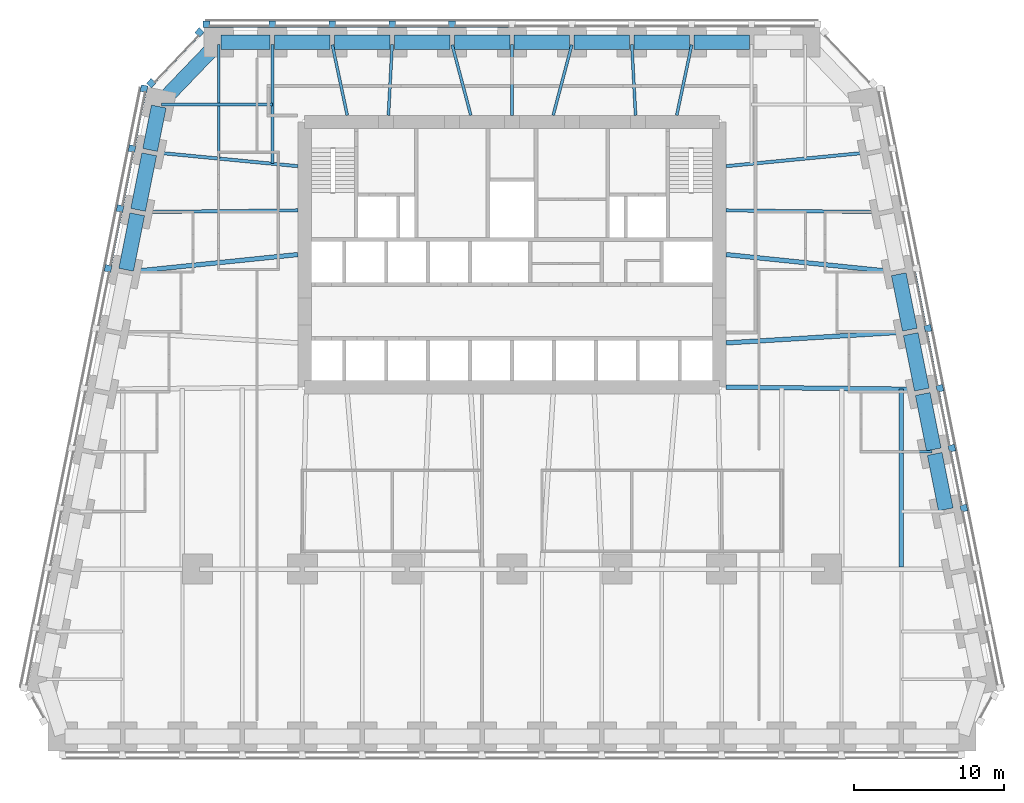
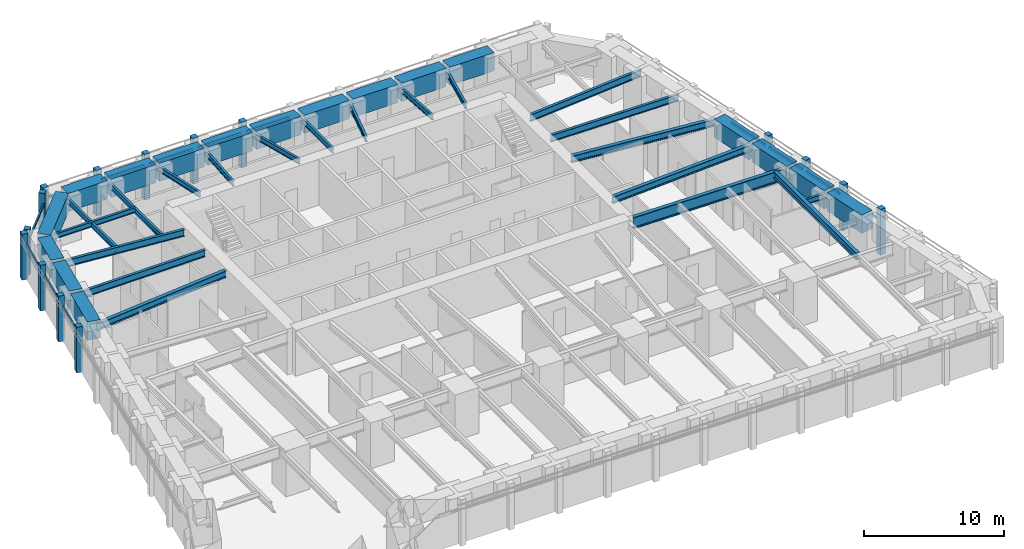
# One storey, part 3 of 10: 37 beams, 28 members, 4 elements without a shape of their own.
"""IFC4 building model written with IfcOpenShell, lengths in metres."""

from ifc_helpers import new_model, si_unit, direction, frame, origin, origin_2d, place, context, subcontext, project, spatial, rectangle, i_section, extrude, material, material_profile, profile_set, type_object, element, aggregate, save


model = new_model("IFC4")

# Units and contexts
model_context = context("Model", 3, precision=1e-05, world=origin(), true_north=direction((0.0, 1.0)))
body_context = subcontext(model_context, "Body", "Model", "MODEL_VIEW")
ifc_project = project(units=[si_unit("LENGTHUNIT", "METRE"), si_unit("AREAUNIT", "SQUARE_METRE"), si_unit("VOLUMEUNIT", "CUBIC_METRE"), si_unit("PLANEANGLEUNIT", "RADIAN"), si_unit("MASSUNIT", "GRAM", prefix="KILO")], contexts=[model_context])

# Site, building, storey
site_placement = place(None, origin())
site = spatial("IfcSite", under=ifc_project, at=site_placement, CompositionType="ELEMENT")
building_placement = place(site_placement, origin())
building = spatial("IfcBuilding", under=site, at=building_placement, Name="Isbrekke Arena Tower", CompositionType="ELEMENT")
storey_placement = place(building_placement, frame((0.0, 0.0, 64.0)))
storey = spatial("IfcBuildingStorey", under=building, at=storey_placement, Name="L13", CompositionType="ELEMENT", Elevation=64.0)

# Beams
ifc_material_1 = material(Name="Steel S355", Category="steel")
ifc_material_profile_1 = material_profile(ifc_material_1, i_section(OverallWidth=0.219970703125, OverallDepth=0.60009765625, WebThickness=0.011962890625, FlangeThickness=0.01904296875, FilletRadius=0.02392578125, at=origin_2d()), Name="IPE 600")
ifc_profile_set_1 = profile_set([ifc_material_profile_1], Name="Steel S355")
beam_type_1 = type_object("IfcBeamType", Name="B1 IPE 600", PredefinedType="BEAM", material=ifc_profile_set_1)
beam_1_placement = place(storey_placement, frame((24.83984375, 17.838134765625, 3.550048828125), z_axis=(-0.999943729589, 0.010608376645, 0.0), x_axis=(-0.010608376645, -0.999943729589, 0.0)))
element("IfcBeam", 1, at=beam_1_placement, inside=storey, type_object=beam_type_1, Name="B1 beam E-E09 L13", PredefinedType="BEAM", context=body_context, shape_type="SweptSolid", body=[
    extrude(i_section(OverallWidth=0.219970703125, OverallDepth=0.60009765625, WebThickness=0.011962890625, FlangeThickness=0.01904296875, FilletRadius=0.02392578125, at=origin_2d()), origin(), (0.0, 0.0, 1.0), 10.540283203125),
])
for number, where, z_axis, x_axis, name in (
    (2, (24.030517578125, 21.837158203125, 3.550048828125), (-0.995393091527, -0.095878012805, 0.0), (0.095878012805, -0.995393091527, 0.0), "B1 beam E-E10 L13"),
    (3, (-24.030517578125, 21.837158203125, 3.550048828125), (0.995393091527, -0.095878012805, 0.0), (0.095878012805, 0.995393091527, 0.0), "B1 beam E-W02 L13"),
):
    element("IfcBeam", number, at=place(storey_placement, frame(where, z_axis=z_axis, x_axis=x_axis)), inside=storey, type_object=beam_type_1, Name=name, PredefinedType="BEAM", context=body_context, shape_type="SweptSolid", body=[
        extrude(i_section(OverallWidth=0.219970703125, OverallDepth=0.60009765625, WebThickness=0.011962890625, FlangeThickness=0.01904296875, FilletRadius=0.02392578125, at=origin_2d()), origin(), (0.0, 0.0, 1.0), 9.775390625),
    ])
beam_2_placement = place(storey_placement, frame((-24.83984375, 17.838134765625, 3.550048828125), z_axis=(0.999943729589, 0.010608376645, 0.0), x_axis=(-0.010608376645, 0.999943729589, 0.0)))
element("IfcBeam", 4, at=beam_2_placement, inside=storey, type_object=beam_type_1, Name="B1 beam E-W03 L13", PredefinedType="BEAM", context=body_context, shape_type="SweptSolid", body=[
    extrude(i_section(OverallWidth=0.219970703125, OverallDepth=0.60009765625, WebThickness=0.011962890625, FlangeThickness=0.01904296875, FilletRadius=0.02392578125, at=origin_2d()), origin(), (0.0, 0.0, 1.0), 10.540283203125),
])
ifc_material_2 = material(Name="Steel S355", Category="steel")
ifc_material_profile_2 = material_profile(ifc_material_2, i_section(OverallWidth=0.18994140625, OverallDepth=0.449951171875, WebThickness=0.009521484375, FlangeThickness=0.0146484375, FilletRadius=0.02099609375, at=origin_2d()), Name="IPE 450")
ifc_profile_set_2 = profile_set([ifc_material_profile_2], Name="Steel S355")
beam_type_2 = type_object("IfcBeamType", Name="B2 IPE 450", PredefinedType="BEAM", material=ifc_profile_set_2)
beam_3_placement = place(storey_placement, frame((28.041015625, 1.838134765625, 3.625), z_axis=(-1.0, 0.0, 0.0), x_axis=(0.0, -1.0, 0.0)))
element("IfcBeam", 5, at=beam_3_placement, inside=storey, type_object=beam_type_2, Name="B2 beam E-E05 L13", PredefinedType="BEAM", context=body_context, shape_type="SweptSolid", body=[
    extrude(i_section(OverallWidth=0.18994140625, OverallDepth=0.449951171875, WebThickness=0.009521484375, FlangeThickness=0.0146484375, FilletRadius=0.02099609375, at=origin_2d()), origin(), (0.0, 0.0, 1.0), 2.041015625),
])
beam_4_placement = place(storey_placement, frame((-23.40283203125, 25.029296875, 3.625), z_axis=(1.0, 0.0, 0.0), x_axis=(0.0, 1.0, 0.0)))
element("IfcBeam", 6, at=beam_4_placement, inside=storey, type_object=beam_type_2, Name="B2 beam E-W01 L13", PredefinedType="BEAM", context=body_context, shape_type="SweptSolid", body=[
    extrude(i_section(OverallWidth=0.18994140625, OverallDepth=0.449951171875, WebThickness=0.009521484375, FlangeThickness=0.0146484375, FilletRadius=0.02099609375, at=origin_2d()), origin(), (0.0, 0.0, 1.0), 7.40283203125),
])
ifc_material_3 = material(Name="Steel S355", Category="steel")
ifc_material_profile_3 = material_profile(ifc_material_3, i_section(OverallWidth=0.18994140625, OverallDepth=0.449951171875, WebThickness=0.009521484375, FlangeThickness=0.0146484375, FilletRadius=0.02099609375, at=origin_2d()), Name="IPE 450")
ifc_profile_set_3 = profile_set([ifc_material_profile_3], Name="Steel S355")
beam_type_3 = type_object("IfcBeamType", Name="B3 IPE 450", PredefinedType="BEAM", material=ifc_profile_set_3)
beam_5_placement = place(storey_placement, frame((-16.0, 29.02490234375, 3.625), z_axis=(0.0, -1.0, 0.0), x_axis=(1.0, 0.0, 0.0)))
element("IfcBeam", 7, at=beam_5_placement, inside=storey, type_object=beam_type_3, Name="B3 beam N-N10 L13", PredefinedType="BEAM", context=body_context, shape_type="SweptSolid", body=[
    extrude(i_section(OverallWidth=0.18994140625, OverallDepth=0.449951171875, WebThickness=0.009521484375, FlangeThickness=0.0146484375, FilletRadius=0.02099609375, at=origin_2d()), origin(), (0.0, 0.0, 1.0), 7.961181640625),
])
beam_6_placement = place(storey_placement, frame((-19.574951171875, 29.02490234375, 3.625), z_axis=(0.0, -1.0, 0.0), x_axis=(1.0, 0.0, 0.0)))
element("IfcBeam", 8, at=beam_6_placement, inside=storey, type_object=beam_type_3, Name="B3 beam N-N11 L13", PredefinedType="BEAM", context=body_context, shape_type="SweptSolid", body=[
    extrude(i_section(OverallWidth=0.18994140625, OverallDepth=0.449951171875, WebThickness=0.009521484375, FlangeThickness=0.0146484375, FilletRadius=0.02099609375, at=origin_2d()), origin(), (0.0, 0.0, 1.0), 7.616943359375),
])
beam_7_placement = place(storey_placement, frame((11.995849609375, 29.005859375, 3.625), z_axis=(-0.207036135686, -0.978333296234, 0.0), x_axis=(0.978333296234, -0.207036135686, 0.0)))
element("IfcBeam", 9, at=beam_7_placement, inside=storey, type_object=beam_type_3, Name="B3 beam N-N03 L13", PredefinedType="BEAM", context=body_context, shape_type="SweptSolid", body=[
    extrude(i_section(OverallWidth=0.18994140625, OverallDepth=0.449951171875, WebThickness=0.009521484375, FlangeThickness=0.0146484375, FilletRadius=0.02099609375, at=origin_2d()), origin(), (0.0, 0.0, 1.0), 4.81005859375),
])
beam_8_placement = place(storey_placement, frame((8.000244140625, 29.02001953125, 3.625), z_axis=(0.05284078094, -0.998602950061, 0.0), x_axis=(0.998602950061, 0.05284078094, 0.0)))
element("IfcBeam", 10, at=beam_8_placement, inside=storey, type_object=beam_type_3, Name="B3 beam N-N04 L13", PredefinedType="BEAM", context=body_context, shape_type="SweptSolid", body=[
    extrude(i_section(OverallWidth=0.18994140625, OverallDepth=0.449951171875, WebThickness=0.009521484375, FlangeThickness=0.0146484375, FilletRadius=0.02099609375, at=origin_2d()), origin(), (0.0, 0.0, 1.0), 4.7265625),
])
beam_9_placement = place(storey_placement, frame((3.993896484375, 29.00146484375, 3.625), z_axis=(-0.255778031922, -0.966735536942, 0.0), x_axis=(0.966735536942, -0.255778031922, 0.0)))
element("IfcBeam", 11, at=beam_9_placement, inside=storey, type_object=beam_type_3, Name="B3 beam N-N05 L13", PredefinedType="BEAM", context=body_context, shape_type="SweptSolid", body=[
    extrude(i_section(OverallWidth=0.18994140625, OverallDepth=0.449951171875, WebThickness=0.009521484375, FlangeThickness=0.0146484375, FilletRadius=0.02099609375, at=origin_2d()), origin(), (0.0, 0.0, 1.0), 4.86328125),
])
beam_10_placement = place(storey_placement, frame((0.0, 29.02490234375, 3.625), z_axis=(0.0, -1.0, 0.0), x_axis=(1.0, 0.0, 0.0)))
element("IfcBeam", 12, at=beam_10_placement, inside=storey, type_object=beam_type_3, Name="B3 beam N-N06 L13", PredefinedType="BEAM", context=body_context, shape_type="SweptSolid", body=[
    extrude(i_section(OverallWidth=0.18994140625, OverallDepth=0.449951171875, WebThickness=0.009521484375, FlangeThickness=0.0146484375, FilletRadius=0.02099609375, at=origin_2d()), origin(), (0.0, 0.0, 1.0), 4.724853515625),
])
beam_11_placement = place(storey_placement, frame((-3.993896484375, 29.00146484375, 3.625), z_axis=(0.255778031922, -0.966735536942, 0.0), x_axis=(0.966735536942, 0.255778031922, 0.0)))
element("IfcBeam", 13, at=beam_11_placement, inside=storey, type_object=beam_type_3, Name="B3 beam N-N07 L13", PredefinedType="BEAM", context=body_context, shape_type="SweptSolid", body=[
    extrude(i_section(OverallWidth=0.18994140625, OverallDepth=0.449951171875, WebThickness=0.009521484375, FlangeThickness=0.0146484375, FilletRadius=0.02099609375, at=origin_2d()), origin(), (0.0, 0.0, 1.0), 4.86328125),
])
beam_12_placement = place(storey_placement, frame((-8.000244140625, 29.02001953125, 3.625), z_axis=(-0.05284078094, -0.998602950061, 0.0), x_axis=(0.998602950061, -0.05284078094, 0.0)))
element("IfcBeam", 14, at=beam_12_placement, inside=storey, type_object=beam_type_3, Name="B3 beam N-N08 L13", PredefinedType="BEAM", context=body_context, shape_type="SweptSolid", body=[
    extrude(i_section(OverallWidth=0.18994140625, OverallDepth=0.449951171875, WebThickness=0.009521484375, FlangeThickness=0.0146484375, FilletRadius=0.02099609375, at=origin_2d()), origin(), (0.0, 0.0, 1.0), 4.7265625),
])
beam_13_placement = place(storey_placement, frame((-11.995849609375, 29.005859375, 3.625), z_axis=(0.207036135686, -0.978333296234, 0.0), x_axis=(0.978333296234, 0.207036135686, 0.0)))
element("IfcBeam", 15, at=beam_13_placement, inside=storey, type_object=beam_type_3, Name="B3 beam N-N09 L13", PredefinedType="BEAM", context=body_context, shape_type="SweptSolid", body=[
    extrude(i_section(OverallWidth=0.18994140625, OverallDepth=0.449951171875, WebThickness=0.009521484375, FlangeThickness=0.0146484375, FilletRadius=0.02099609375, at=origin_2d()), origin(), (0.0, 0.0, 1.0), 4.81005859375),
])
ifc_material_4 = material(Name="Steel S355", Category="steel")
ifc_material_profile_4 = material_profile(ifc_material_4, i_section(OverallWidth=0.300048828125, OverallDepth=0.60009765625, WebThickness=0.015380859375, FlangeThickness=0.030029296875, FilletRadius=0.027099609375, at=origin_2d()), Name="HEB 600")
ifc_profile_set_4 = profile_set([ifc_material_profile_4], Name="Steel S355")
beam_type_4 = type_object("IfcBeamType", Name="B7 HEB 600", PredefinedType="BEAM", material=ifc_profile_set_4)
beam_14_placement = place(storey_placement, frame((26.0, -5.84912109375, 3.550048828125), z_axis=(0.0, 1.0, 0.0), x_axis=(-1.0, 0.0, 0.0)))
element("IfcBeam", 16, at=beam_14_placement, inside=storey, type_object=beam_type_4, Name="B7 beam C-M14 L13", PredefinedType="BEAM", context=body_context, shape_type="SweptSolid", body=[
    extrude(i_section(OverallWidth=0.300048828125, OverallDepth=0.60009765625, WebThickness=0.015380859375, FlangeThickness=0.030029296875, FilletRadius=0.027099609375, at=origin_2d()), origin(), (0.0, 0.0, 1.0), 11.864990234375),
])
beam_15_placement = place(storey_placement, frame((26.431884765625, 9.837646484375, 3.550048828125), z_axis=(-0.998157121592, -0.060682457223, 0.0), x_axis=(0.060682457223, -0.998157121592, 0.0)))
element("IfcBeam", 17, at=beam_15_placement, inside=storey, type_object=beam_type_4, Name="B7 beam E-E07 L13", PredefinedType="BEAM", context=body_context, shape_type="SweptSolid", body=[
    extrude(i_section(OverallWidth=0.300048828125, OverallDepth=0.60009765625, WebThickness=0.015380859375, FlangeThickness=0.030029296875, FilletRadius=0.027099609375, at=origin_2d()), origin(), (0.0, 0.0, 1.0), 12.154296875),
])
for number, where, z_axis, x_axis, name in (
    (18, (25.625732421875, 13.83984375, 3.550048828125), (-0.994794378016, 0.101902627384, 0.0), (-0.101902627384, -0.994794378016, 0.0), "B7 beam E-E08 L13"),
    (19, (-25.625732421875, 13.83984375, 3.550048828125), (0.994794378016, 0.101902627384, 0.0), (-0.101902627384, 0.994794378016, 0.0), "B7 beam E-W04 L13"),
):
    element("IfcBeam", number, at=place(storey_placement, frame(where, z_axis=z_axis, x_axis=x_axis)), inside=storey, type_object=beam_type_4, Name=name, PredefinedType="BEAM", context=body_context, shape_type="SweptSolid", body=[
        extrude(i_section(OverallWidth=0.300048828125, OverallDepth=0.60009765625, WebThickness=0.015380859375, FlangeThickness=0.030029296875, FilletRadius=0.027099609375, at=origin_2d()), origin(), (0.0, 0.0, 1.0), 11.385009765625),
    ])

# Curtain wall, members
ifc_material_5 = material(Name="Glazed aluminium curtain wall", Category="aluminium")
curtain_wall_type = type_object("IfcCurtainWallType", Name="CWL TOWER CURTAIN WALL LOW ZONE", PredefinedType="USERDEFINED", material=ifc_material_5)
curtain_wall_1_placement = place(storey_placement, origin())
curtain_wall_1 = element("IfcCurtainWall", 20, at=curtain_wall_1_placement, inside=storey, type_object=curtain_wall_type, Name="CWL curtain wall L13-E", ObjectType="TOWER CURTAIN WALL LOW ZONE", PredefinedType="USERDEFINED")
ifc_material_6 = material(Name="Aluminium mullion, pale brick slip cladding", Category="masonry")
ifc_material_profile_5 = material_profile(ifc_material_6, rectangle(XDim=0.449951171875, YDim=0.449951171875, at=origin_2d()), Name="PIER 450X450")
ifc_profile_set_5 = profile_set([ifc_material_profile_5], Name="Aluminium mullion, pale brick slip cladding")
member_type_1 = type_object("IfcMemberType", Name="CWL-M PIER MULLION 450 x 450", PredefinedType="MULLION", material=ifc_profile_set_5)
member_1_placement = place(storey_placement, frame((30.167724609375, -1.926513671875, 0.0), z_axis=(0.0, 0.0, 1.0), x_axis=(-0.196116135138, 0.980580675691, 0.0)))
member_1 = element("IfcMember", 21, at=member_1_placement, type_object=member_type_1, Name="CWL-M mullion 4", PredefinedType="MULLION", context=body_context, shape_type="SweptSolid", body=[
    extrude(rectangle(XDim=0.449951171875, YDim=0.449951171875, at=origin_2d()), origin(), (0.0, 0.0, 1.0), 4.0),
])
member_2_placement = place(storey_placement, frame((29.36767578125, 2.073486328125, 0.0), z_axis=(0.0, 0.0, 1.0), x_axis=(-0.196116135138, 0.980580675691, 0.0)))
member_2 = element("IfcMember", 22, at=member_2_placement, type_object=member_type_1, Name="CWL-M mullion 5", PredefinedType="MULLION", context=body_context, shape_type="SweptSolid", body=[
    extrude(rectangle(XDim=0.449951171875, YDim=0.449951171875, at=origin_2d()), origin(), (0.0, 0.0, 1.0), 4.0),
])
member_3_placement = place(storey_placement, frame((28.567626953125, 6.073486328125, 0.0), z_axis=(0.0, 0.0, 1.0), x_axis=(-0.196116135138, 0.980580675691, 0.0)))
member_3 = element("IfcMember", 23, at=member_3_placement, type_object=member_type_1, Name="CWL-M mullion 6", PredefinedType="MULLION", context=body_context, shape_type="SweptSolid", body=[
    extrude(rectangle(XDim=0.449951171875, YDim=0.449951171875, at=origin_2d()), origin(), (0.0, 0.0, 1.0), 4.0),
])
member_4_placement = place(storey_placement, frame((27.767822265625, 10.073486328125, 0.0), z_axis=(0.0, 0.0, 1.0), x_axis=(-0.196116135138, 0.980580675691, 0.0)))
member_4 = element("IfcMember", 24, at=member_4_placement, type_object=member_type_1, Name="CWL-M mullion 7", PredefinedType="MULLION", context=body_context, shape_type="SweptSolid", body=[
    extrude(rectangle(XDim=0.449951171875, YDim=0.449951171875, at=origin_2d()), origin(), (0.0, 0.0, 1.0), 4.0),
])

curtain_wall_2_placement = place(storey_placement, origin())
curtain_wall_2 = element("IfcCurtainWall", 25, at=curtain_wall_2_placement, inside=storey, type_object=curtain_wall_type, Name="CWL curtain wall L13-N", ObjectType="TOWER CURTAIN WALL LOW ZONE", PredefinedType="USERDEFINED")
member_5_placement = place(storey_placement, frame((-4.0, 30.375, 0.0), z_axis=(0.0, 0.0, 1.0), x_axis=(-1.0, 0.0, 0.0)))
member_5 = element("IfcMember", 26, at=member_5_placement, type_object=member_type_1, Name="CWL-M mullion 7", PredefinedType="MULLION", context=body_context, shape_type="SweptSolid", body=[
    extrude(rectangle(XDim=0.449951171875, YDim=0.449951171875, at=origin_2d()), origin(), (0.0, 0.0, 1.0), 4.0),
])
member_6_placement = place(storey_placement, frame((-8.0, 30.375, 0.0), z_axis=(0.0, 0.0, 1.0), x_axis=(-1.0, 0.0, 0.0)))
member_6 = element("IfcMember", 27, at=member_6_placement, type_object=member_type_1, Name="CWL-M mullion 8", PredefinedType="MULLION", context=body_context, shape_type="SweptSolid", body=[
    extrude(rectangle(XDim=0.449951171875, YDim=0.449951171875, at=origin_2d()), origin(), (0.0, 0.0, 1.0), 4.0),
])
member_7_placement = place(storey_placement, frame((-12.0, 30.375, 0.0), z_axis=(0.0, 0.0, 1.0), x_axis=(-1.0, 0.0, 0.0)))
member_7 = element("IfcMember", 28, at=member_7_placement, type_object=member_type_1, Name="CWL-M mullion 9", PredefinedType="MULLION", context=body_context, shape_type="SweptSolid", body=[
    extrude(rectangle(XDim=0.449951171875, YDim=0.449951171875, at=origin_2d()), origin(), (0.0, 0.0, 1.0), 4.0),
])
member_8_placement = place(storey_placement, frame((-16.0, 30.375, 0.0), z_axis=(0.0, 0.0, 1.0), x_axis=(-1.0, 0.0, 0.0)))
member_8 = element("IfcMember", 29, at=member_8_placement, type_object=member_type_1, Name="CWL-M mullion 10", PredefinedType="MULLION", context=body_context, shape_type="SweptSolid", body=[
    extrude(rectangle(XDim=0.449951171875, YDim=0.449951171875, at=origin_2d()), origin(), (0.0, 0.0, 1.0), 4.0),
])
member_9_placement = place(storey_placement, frame((-20.39990234375, 30.375, 0.0), z_axis=(0.0, 0.0, 1.0), x_axis=(-1.0, 0.0, 0.0)))
member_9 = element("IfcMember", 30, at=member_9_placement, type_object=member_type_1, Name="CWL-M mullion 11", PredefinedType="MULLION", context=body_context, shape_type="SweptSolid", body=[
    extrude(rectangle(XDim=0.449951171875, YDim=0.449951171875, at=origin_2d()), origin(), (0.0, 0.0, 1.0), 4.0),
])

curtain_wall_3_placement = place(storey_placement, origin())
curtain_wall_3 = element("IfcCurtainWall", 31, at=curtain_wall_3_placement, inside=storey, type_object=curtain_wall_type, Name="CWL curtain wall L13-NW", ObjectType="TOWER CURTAIN WALL LOW ZONE", PredefinedType="USERDEFINED")
member_10_placement = place(storey_placement, frame((-20.86572265625, 29.83642578125, 0.0), z_axis=(0.0, 0.0, 1.0), x_axis=(-0.68874946192, -0.72499943359, 0.0)))
member_10 = element("IfcMember", 32, at=member_10_placement, type_object=member_type_1, Name="CWL-M mullion 1", PredefinedType="MULLION", context=body_context, shape_type="SweptSolid", body=[
    extrude(rectangle(XDim=0.449951171875, YDim=0.449951171875, at=origin_2d()), origin(), (0.0, 0.0, 1.0), 4.0),
])
member_11_placement = place(storey_placement, frame((-24.087890625, 26.44482421875, 0.0), z_axis=(0.0, 0.0, 1.0), x_axis=(-0.68874946192, -0.72499943359, 0.0)))
member_11 = element("IfcMember", 33, at=member_11_placement, type_object=member_type_1, Name="CWL-M mullion 2", PredefinedType="MULLION", context=body_context, shape_type="SweptSolid", body=[
    extrude(rectangle(XDim=0.449951171875, YDim=0.449951171875, at=origin_2d()), origin(), (0.0, 0.0, 1.0), 4.0),
])

curtain_wall_4_placement = place(storey_placement, origin())
curtain_wall_4 = element("IfcCurtainWall", 34, at=curtain_wall_4_placement, inside=storey, type_object=curtain_wall_type, Name="CWL curtain wall L13-W", ObjectType="TOWER CURTAIN WALL LOW ZONE", PredefinedType="USERDEFINED")
member_12_placement = place(storey_placement, frame((-24.567626953125, 26.073486328125, 0.0), z_axis=(0.0, 0.0, 1.0), x_axis=(-0.196116135138, -0.980580675691, 0.0)))
member_12 = element("IfcMember", 35, at=member_12_placement, type_object=member_type_1, Name="CWL-M mullion 1", PredefinedType="MULLION", context=body_context, shape_type="SweptSolid", body=[
    extrude(rectangle(XDim=0.449951171875, YDim=0.449951171875, at=origin_2d()), origin(), (0.0, 0.0, 1.0), 4.0),
])
member_13_placement = place(storey_placement, frame((-25.36767578125, 22.073486328125, 0.0), z_axis=(0.0, 0.0, 1.0), x_axis=(-0.196116135138, -0.980580675691, 0.0)))
member_13 = element("IfcMember", 36, at=member_13_placement, type_object=member_type_1, Name="CWL-M mullion 2", PredefinedType="MULLION", context=body_context, shape_type="SweptSolid", body=[
    extrude(rectangle(XDim=0.449951171875, YDim=0.449951171875, at=origin_2d()), origin(), (0.0, 0.0, 1.0), 4.0),
])
member_14_placement = place(storey_placement, frame((-26.167724609375, 18.073486328125, 0.0), z_axis=(0.0, 0.0, 1.0), x_axis=(-0.196116135138, -0.980580675691, 0.0)))
member_14 = element("IfcMember", 37, at=member_14_placement, type_object=member_type_1, Name="CWL-M mullion 3", PredefinedType="MULLION", context=body_context, shape_type="SweptSolid", body=[
    extrude(rectangle(XDim=0.449951171875, YDim=0.449951171875, at=origin_2d()), origin(), (0.0, 0.0, 1.0), 4.0),
])
member_15_placement = place(storey_placement, frame((-26.9677734375, 14.073486328125, 0.0), z_axis=(0.0, 0.0, 1.0), x_axis=(-0.196116135138, -0.980580675691, 0.0)))
member_15 = element("IfcMember", 38, at=member_15_placement, type_object=member_type_1, Name="CWL-M mullion 4", PredefinedType="MULLION", context=body_context, shape_type="SweptSolid", body=[
    extrude(rectangle(XDim=0.449951171875, YDim=0.449951171875, at=origin_2d()), origin(), (0.0, 0.0, 1.0), 4.0),
])

# Member
ifc_material_7 = material(Name="Aluminium transom", Category="aluminium")
ifc_material_profile_6 = material_profile(ifc_material_7, rectangle(XDim=0.1201171875, YDim=0.199951171875, at=origin_2d()), Name="TRANSOM 120X200")
ifc_profile_set_6 = profile_set([ifc_material_profile_6], Name="Aluminium transom")
member_type_2 = type_object("IfcMemberType", Name="CWL-T TRANSOM 120 x 200", PredefinedType="USERDEFINED", material=ifc_profile_set_6)
member_16_placement = place(storey_placement, frame((30.0009765625, -1.730224609375, 3.0), z_axis=(-0.196103197847, 0.98058326306, 0.0), x_axis=(-0.98058326306, -0.196103197847, 0.0)))
member_16 = element("IfcMember", 39, at=member_16_placement, type_object=member_type_2, Name="CWL-T transom 4", ObjectType="TRANSOM", PredefinedType="USERDEFINED", context=body_context, shape_type="SweptSolid", body=[
    extrude(rectangle(XDim=0.1201171875, YDim=0.199951171875, at=origin_2d()), origin(), (0.0, 0.0, 1.0), 3.629150390625),
])

member_17_placement = place(storey_placement, frame((29.200927734375, 2.269775390625, 3.0), z_axis=(-0.196103197847, 0.98058326306, 0.0), x_axis=(-0.98058326306, -0.196103197847, 0.0)))
member_17 = element("IfcMember", 40, at=member_17_placement, type_object=member_type_2, Name="CWL-T transom 5", ObjectType="TRANSOM", PredefinedType="USERDEFINED", context=body_context, shape_type="SweptSolid", body=[
    extrude(rectangle(XDim=0.1201171875, YDim=0.199951171875, at=origin_2d()), origin(), (0.0, 0.0, 1.0), 3.629150390625),
])

member_18_placement = place(storey_placement, frame((28.401123046875, 6.269775390625, 3.0), z_axis=(-0.196167883278, 0.980570324643, 0.0), x_axis=(-0.980570324643, -0.196167883278, 0.0)))
member_18 = element("IfcMember", 41, at=member_18_placement, type_object=member_type_2, Name="CWL-T transom 6", ObjectType="TRANSOM", PredefinedType="USERDEFINED", context=body_context, shape_type="SweptSolid", body=[
    extrude(rectangle(XDim=0.1201171875, YDim=0.199951171875, at=origin_2d()), origin(), (0.0, 0.0, 1.0), 3.629150390625),
])

member_19_placement = place(storey_placement, frame((27.60107421875, 10.269775390625, 3.0), z_axis=(-0.196167883278, 0.980570324643, 0.0), x_axis=(-0.980570324643, -0.196167883278, 0.0)))
member_19 = element("IfcMember", 42, at=member_19_placement, type_object=member_type_2, Name="CWL-T transom 7", ObjectType="TRANSOM", PredefinedType="USERDEFINED", context=body_context, shape_type="SweptSolid", body=[
    extrude(rectangle(XDim=0.1201171875, YDim=0.199951171875, at=origin_2d()), origin(), (0.0, 0.0, 1.0), 3.629150390625),
])

aggregate(curtain_wall_1, [member_1, member_2, member_3, member_4, member_16, member_17, member_18, member_19])

member_20_placement = place(storey_placement, frame((-0.22509765625, 30.25, 3.0), z_axis=(-1.0, 0.0, 0.0), x_axis=(0.0, -1.0, 0.0)))
member_20 = element("IfcMember", 43, at=member_20_placement, type_object=member_type_2, Name="CWL-T transom 6", ObjectType="TRANSOM", PredefinedType="USERDEFINED", context=body_context, shape_type="SweptSolid", body=[
    extrude(rectangle(XDim=0.1201171875, YDim=0.199951171875, at=origin_2d()), origin(), (0.0, 0.0, 1.0), 3.5498046875),
])

member_21_placement = place(storey_placement, frame((-4.22509765625, 30.25, 3.0), z_axis=(-1.0, 0.0, 0.0), x_axis=(0.0, -1.0, 0.0)))
member_21 = element("IfcMember", 44, at=member_21_placement, type_object=member_type_2, Name="CWL-T transom 7", ObjectType="TRANSOM", PredefinedType="USERDEFINED", context=body_context, shape_type="SweptSolid", body=[
    extrude(rectangle(XDim=0.1201171875, YDim=0.199951171875, at=origin_2d()), origin(), (0.0, 0.0, 1.0), 3.5498046875),
])

member_22_placement = place(storey_placement, frame((-8.22509765625, 30.25, 3.0), z_axis=(-1.0, 0.0, 0.0), x_axis=(0.0, -1.0, 0.0)))
member_22 = element("IfcMember", 45, at=member_22_placement, type_object=member_type_2, Name="CWL-T transom 8", ObjectType="TRANSOM", PredefinedType="USERDEFINED", context=body_context, shape_type="SweptSolid", body=[
    extrude(rectangle(XDim=0.1201171875, YDim=0.199951171875, at=origin_2d()), origin(), (0.0, 0.0, 1.0), 3.5498046875),
])

member_23_placement = place(storey_placement, frame((-12.22509765625, 30.25, 3.0), z_axis=(-1.0, 0.0, 0.0), x_axis=(0.0, -1.0, 0.0)))
member_23 = element("IfcMember", 46, at=member_23_placement, type_object=member_type_2, Name="CWL-T transom 9", ObjectType="TRANSOM", PredefinedType="USERDEFINED", context=body_context, shape_type="SweptSolid", body=[
    extrude(rectangle(XDim=0.1201171875, YDim=0.199951171875, at=origin_2d()), origin(), (0.0, 0.0, 1.0), 3.5498046875),
])

member_24_placement = place(storey_placement, frame((-16.22509765625, 30.25, 3.0), z_axis=(-1.0, 0.0, 0.0), x_axis=(0.0, -1.0, 0.0)))
member_24 = element("IfcMember", 47, at=member_24_placement, type_object=member_type_2, Name="CWL-T transom 10", ObjectType="TRANSOM", PredefinedType="USERDEFINED", context=body_context, shape_type="SweptSolid", body=[
    extrude(rectangle(XDim=0.1201171875, YDim=0.199951171875, at=origin_2d()), origin(), (0.0, 0.0, 1.0), 3.949951171875),
])

aggregate(curtain_wall_2, [member_5, member_6, member_7, member_8, member_9, member_20, member_21, member_22, member_23, member_24])

member_25_placement = place(storey_placement, frame((-20.93017578125, 29.587158203125, 3.0), z_axis=(-0.6887433918, -0.725005200155, 0.0), x_axis=(0.725005200155, -0.6887433918, 0.0)))
member_25 = element("IfcMember", 48, at=member_25_placement, type_object=member_type_2, Name="CWL-T transom 1", ObjectType="TRANSOM", PredefinedType="USERDEFINED", context=body_context, shape_type="SweptSolid", body=[
    extrude(rectangle(XDim=0.1201171875, YDim=0.199951171875, at=origin_2d()), origin(), (0.0, 0.0, 1.0), 4.22802734375),
])

aggregate(curtain_wall_3, [member_10, member_11, member_25])

member_26_placement = place(storey_placement, frame((-24.4892578125, 25.828369140625, 3.0), z_axis=(-0.196103197847, -0.98058326306, 0.0), x_axis=(0.98058326306, -0.196103197847, 0.0)))
member_26 = element("IfcMember", 49, at=member_26_placement, type_object=member_type_2, Name="CWL-T transom 1", ObjectType="TRANSOM", PredefinedType="USERDEFINED", context=body_context, shape_type="SweptSolid", body=[
    extrude(rectangle(XDim=0.1201171875, YDim=0.199951171875, at=origin_2d()), origin(), (0.0, 0.0, 1.0), 3.629150390625),
])

member_27_placement = place(storey_placement, frame((-25.289306640625, 21.828369140625, 3.0), z_axis=(-0.196103197847, -0.98058326306, 0.0), x_axis=(0.98058326306, -0.196103197847, 0.0)))
member_27 = element("IfcMember", 50, at=member_27_placement, type_object=member_type_2, Name="CWL-T transom 2", ObjectType="TRANSOM", PredefinedType="USERDEFINED", context=body_context, shape_type="SweptSolid", body=[
    extrude(rectangle(XDim=0.1201171875, YDim=0.199951171875, at=origin_2d()), origin(), (0.0, 0.0, 1.0), 3.629150390625),
])

member_28_placement = place(storey_placement, frame((-26.08935546875, 17.828369140625, 3.0), z_axis=(-0.196103197847, -0.98058326306, 0.0), x_axis=(0.98058326306, -0.196103197847, 0.0)))
member_28 = element("IfcMember", 51, at=member_28_placement, type_object=member_type_2, Name="CWL-T transom 3", ObjectType="TRANSOM", PredefinedType="USERDEFINED", context=body_context, shape_type="SweptSolid", body=[
    extrude(rectangle(XDim=0.1201171875, YDim=0.199951171875, at=origin_2d()), origin(), (0.0, 0.0, 1.0), 3.629150390625),
])

aggregate(curtain_wall_4, [member_12, member_13, member_14, member_15, member_26, member_27, member_28])

# Beams
ifc_material_8 = material(Name="Steel S355", Category="steel")
ifc_material_profile_7 = material_profile(ifc_material_8, i_section(OverallWidth=0.302001953125, OverallDepth=1.008056640625, WebThickness=0.02099609375, FlangeThickness=0.0400390625, FilletRadius=0.030029296875, at=origin_2d()), Name="HEM 1000")
ifc_profile_set_7 = profile_set([ifc_material_profile_7], Name="Steel S355")
beam_type_5 = type_object("IfcBeamType", Name="G2 HEM 1000", PredefinedType="BEAM", material=ifc_profile_set_7)
beam_16_placement = place(storey_placement, frame((14.300048828125, 6.14990234375, 3.345947265625), z_axis=(0.999934429634, -0.011451481699, 0.0), x_axis=(0.011451481699, 0.999934429634, 0.0)))
element("IfcBeam", 52, at=beam_16_placement, inside=storey, type_object=beam_type_5, Name="G2 beam G2-E L13", PredefinedType="BEAM", context=body_context, shape_type="SweptSolid", body=[
    extrude(i_section(OverallWidth=0.302001953125, OverallDepth=1.008056640625, WebThickness=0.02099609375, FlangeThickness=0.0400390625, FilletRadius=0.030029296875, at=origin_2d()), origin(), (0.0, 0.0, 1.0), 13.09033203125),
])
ifc_material_9 = material(Name="Concrete B90 (C90/105)", Category="concrete")
ifc_material_profile_8 = material_profile(ifc_material_9, rectangle(XDim=1.0, YDim=1.60009765625, at=origin_2d()), Name="RC 1000x1600")
ifc_profile_set_8 = profile_set([ifc_material_profile_8], Name="Concrete B90 (C90/105)")
beam_type_6 = type_object("IfcBeamType", Name="SB1 RC 1000 x 1600", PredefinedType="SPANDREL", material=ifc_profile_set_8)
for number, where, z_axis, x_axis, name in (
    (53, (28.961669921875, -2.0146484375, 3.199951171875), (-0.196128558387, 0.980578190959, 0.0), (-0.980578190959, -0.196128558387, 0.0), "SB1 spandrel E04-E05 L13"),
    (54, (28.16162109375, 1.9853515625, 3.199951171875), (-0.196128558387, 0.980578190959, 0.0), (-0.980578190959, -0.196128558387, 0.0), "SB1 spandrel E05-E06 L13"),
    (55, (27.361572265625, 5.9853515625, 3.199951171875), (-0.196128558387, 0.980578190959, 0.0), (-0.980578190959, -0.196128558387, 0.0), "SB1 spandrel E06-E07 L13"),
):
    element("IfcBeam", number, at=place(storey_placement, frame(where, z_axis=z_axis, x_axis=x_axis)), inside=storey, type_object=beam_type_6, Name=name, PredefinedType="SPANDREL", context=body_context, shape_type="SweptSolid", body=[
        extrude(rectangle(XDim=1.0, YDim=1.60009765625, at=origin_2d()), origin(), (0.0, 0.0, 1.0), 3.779296875),
    ])
beam_17_placement = place(storey_placement, frame((26.5615234375, 9.9853515625, 3.199951171875), z_axis=(-0.1960664412, 0.980590613169, 0.0), x_axis=(-0.980590613169, -0.1960664412, 0.0)))
element("IfcBeam", 56, at=beam_17_placement, inside=storey, type_object=beam_type_6, Name="SB1 spandrel E07-E08 L13", PredefinedType="SPANDREL", context=body_context, shape_type="SweptSolid", body=[
    extrude(rectangle(XDim=1.0, YDim=1.60009765625, at=origin_2d()), origin(), (0.0, 0.0, 1.0), 3.779052734375),
])
for number, where, z_axis, x_axis, name in (
    (57, (15.85009765625, 29.175048828125, 3.199951171875), (-1.0, 0.0, 0.0), (0.0, -1.0, 0.0), "SB1 spandrel N02-N03 L13"),
    (58, (11.85009765625, 29.175048828125, 3.199951171875), (-1.0, 0.0, 0.0), (0.0, -1.0, 0.0), "SB1 spandrel N03-N04 L13"),
    (59, (7.85009765625, 29.175048828125, 3.199951171875), (-1.0, 0.0, 0.0), (0.0, -1.0, 0.0), "SB1 spandrel N04-N05 L13"),
    (60, (3.85009765625, 29.175048828125, 3.199951171875), (-1.0, 0.0, 0.0), (0.0, -1.0, 0.0), "SB1 spandrel N05-N06 L13"),
    (61, (-0.14990234375, 29.175048828125, 3.199951171875), (-1.0, 0.0, 0.0), (0.0, -1.0, 0.0), "SB1 spandrel N06-N07 L13"),
    (62, (-4.14990234375, 29.175048828125, 3.199951171875), (-1.0, 0.0, 0.0), (0.0, -1.0, 0.0), "SB1 spandrel N07-N08 L13"),
    (63, (-8.14990234375, 29.175048828125, 3.199951171875), (-1.0, 0.0, 0.0), (0.0, -1.0, 0.0), "SB1 spandrel N08-N09 L13"),
    (64, (-12.14990234375, 29.175048828125, 3.199951171875), (-1.0, 0.0, 0.0), (0.0, -1.0, 0.0), "SB1 spandrel N09-N10 L13"),
):
    element("IfcBeam", number, at=place(storey_placement, frame(where, z_axis=z_axis, x_axis=x_axis)), inside=storey, type_object=beam_type_6, Name=name, PredefinedType="SPANDREL", context=body_context, shape_type="SweptSolid", body=[
        extrude(rectangle(XDim=1.0, YDim=1.60009765625, at=origin_2d()), origin(), (0.0, 0.0, 1.0), 3.7001953125),
    ])
beam_18_placement = place(storey_placement, frame((-16.14990234375, 29.175048828125, 3.199951171875), z_axis=(-1.0, 0.0, 0.0), x_axis=(0.0, -1.0, 0.0)))
element("IfcBeam", 65, at=beam_18_placement, inside=storey, type_object=beam_type_6, Name="SB1 spandrel N10-N11 L13", PredefinedType="SPANDREL", context=body_context, shape_type="SweptSolid", body=[
    extrude(rectangle(XDim=1.0, YDim=1.60009765625, at=origin_2d()), origin(), (0.0, 0.0, 1.0), 3.275146484375),
])
beam_19_placement = place(storey_placement, frame((-19.678955078125, 29.066650390625, 3.199951171875), z_axis=(-0.692339547635, -0.721571861134, 0.0), x_axis=(0.721571861134, -0.692339547635, 0.0)))
element("IfcBeam", 66, at=beam_19_placement, inside=storey, type_object=beam_type_6, Name="SB1 spandrel N11-W01 L13", PredefinedType="SPANDREL", context=body_context, shape_type="SweptSolid", body=[
    extrude(rectangle(XDim=1.0, YDim=1.60009765625, at=origin_2d()), origin(), (0.0, 0.0, 1.0), 5.4453125),
])
beam_20_placement = place(storey_placement, frame((-23.582275390625, 24.882080078125, 3.199951171875), z_axis=(-0.196116135138, -0.980580675691, 0.0), x_axis=(0.980580675691, -0.196116135138, 0.0)))
element("IfcBeam", 67, at=beam_20_placement, inside=storey, type_object=beam_type_6, Name="SB1 spandrel W01-W02 L13", PredefinedType="SPANDREL", context=body_context, shape_type="SweptSolid", body=[
    extrude(rectangle(XDim=1.0, YDim=1.60009765625, at=origin_2d()), origin(), (0.0, 0.0, 1.0), 2.9541015625),
])
for number, where, z_axis, x_axis, name in (
    (68, (-24.220458984375, 21.691162109375, 3.199951171875), (-0.196128558387, -0.980578190959, 0.0), (0.980578190959, -0.196128558387, 0.0), "SB1 spandrel W02-W03 L13"),
    (69, (-25.0205078125, 17.691162109375, 3.199951171875), (-0.196128558387, -0.980578190959, 0.0), (0.980578190959, -0.196128558387, 0.0), "SB1 spandrel W03-W04 L13"),
):
    element("IfcBeam", number, at=place(storey_placement, frame(where, z_axis=z_axis, x_axis=x_axis)), inside=storey, type_object=beam_type_6, Name=name, PredefinedType="SPANDREL", context=body_context, shape_type="SweptSolid", body=[
        extrude(rectangle(XDim=1.0, YDim=1.60009765625, at=origin_2d()), origin(), (0.0, 0.0, 1.0), 3.779296875),
    ])

save(model, "model.ifc")
